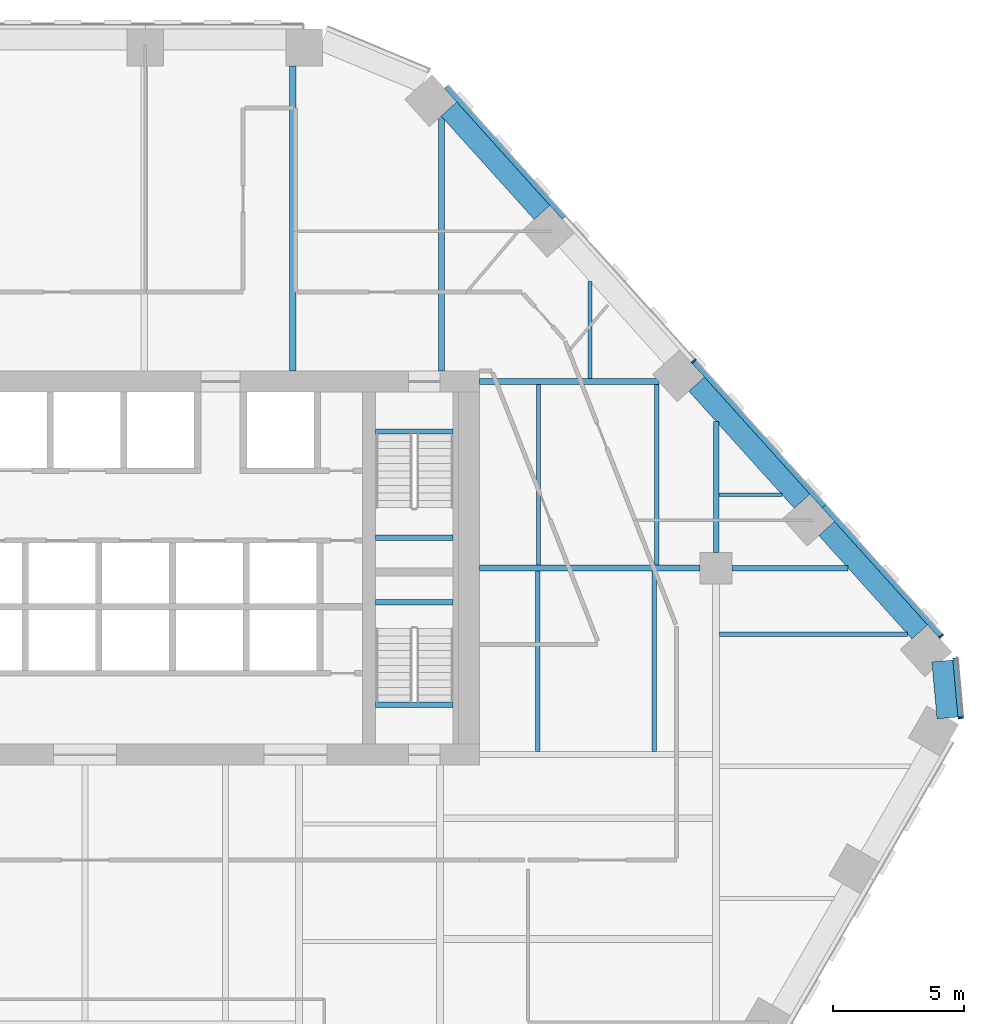
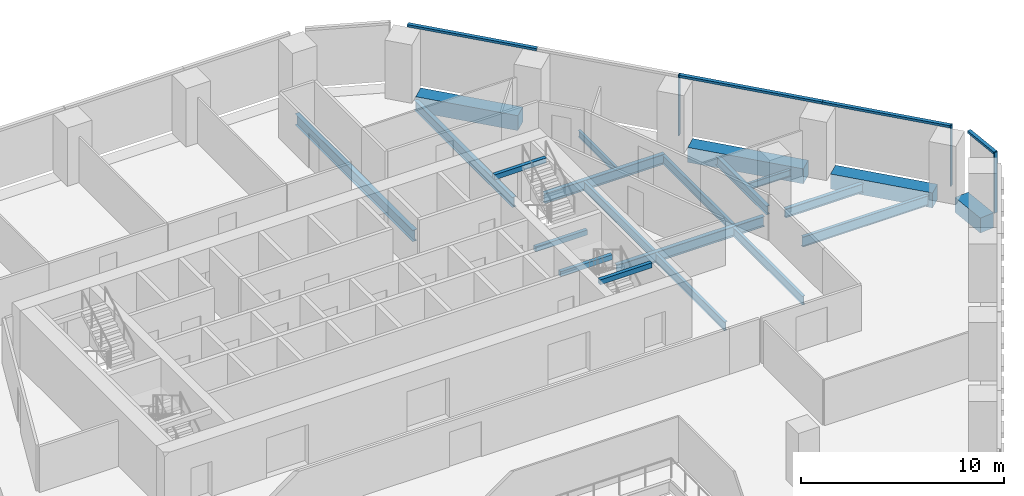
# One storey, part 8 of 17: 21 beams, 7 members, 2 elements without a shape of their own.
"""IFC4 building model written with IfcOpenShell, lengths in metres."""

from ifc_helpers import new_model, si_unit, direction, frame, origin, origin_2d, place, context, subcontext, project, spatial, rectangle, i_section, extrude, material, layer, layer_set, material_profile, profile_set, type_object, element, aggregate, save


model = new_model("IFC4")

# Units and contexts
model_context = context("Model", 3, precision=1e-05, world=origin(), true_north=direction((0.0, 1.0)))
body_context = subcontext(model_context, "Body", "Model", "MODEL_VIEW")
ifc_project = project(units=[si_unit("LENGTHUNIT", "METRE"), si_unit("AREAUNIT", "SQUARE_METRE"), si_unit("VOLUMEUNIT", "CUBIC_METRE"), si_unit("PLANEANGLEUNIT", "RADIAN"), si_unit("MASSUNIT", "GRAM", prefix="KILO")], contexts=[model_context])

# Site, building, storey
site_placement = place(None, origin())
site = spatial("IfcSite", under=ifc_project, at=site_placement, CompositionType="ELEMENT")
building_placement = place(site_placement, origin())
building = spatial("IfcBuilding", under=site, at=building_placement, Name="Isthmus Gate Tower", CompositionType="ELEMENT")
storey_placement = place(building_placement, frame((0.0, 0.0, 126.14990234375)))
storey = spatial("IfcBuildingStorey", under=building, at=storey_placement, Name="L30", CompositionType="ELEMENT", Elevation=126.14990234375)

# Curtain wall, member
ifc_material_1 = material(Name="Aluminium, pale champagne anodised", Category="aluminium")
ifc_layer = layer(ifc_material_1, 0.199951171875)
ifc_layer_set = layer_set([ifc_layer], Name="CW-1 UNITISED CURTAIN WALL 200 DEEP")
curtain_wall_type = type_object("IfcCurtainWallType", Name="CW-1 UNITISED CURTAIN WALL 200 DEEP", PredefinedType="NOTDEFINED", material=ifc_layer_set)
curtain_wall_1_placement = place(storey_placement, origin())
curtain_wall_1 = element("IfcCurtainWall", 1, at=curtain_wall_1_placement, inside=storey, type_object=curtain_wall_type, Name="CW-1 SE-NE L30", PredefinedType="NOTDEFINED")
ifc_material_2 = material(Name="Aluminium, pale champagne anodised", Category="aluminium")
ifc_material_profile_1 = material_profile(ifc_material_2, rectangle(XDim=0.06005859375, YDim=0.199951171875, at=origin_2d()), Name="60x200")
ifc_profile_set_1 = profile_set([ifc_material_profile_1], Name="Aluminium, pale champagne anodised")
member_type_1 = type_object("IfcMemberType", Name="CW-1 MULLION 60 X 200", PredefinedType="MULLION", material=ifc_profile_set_1)
member_1_placement = place(storey_placement, frame((33.307861328125, 1.804443359375, 0.0), z_axis=(0.0, 0.0, 1.0), x_axis=(-0.089396669717, 0.995996102123, 0.0)))
member_1 = element("IfcMember", 2, at=member_1_placement, type_object=member_type_1, Name="CW-1 mullion", PredefinedType="MULLION", context=body_context, shape_type="SweptSolid", body=[
    extrude(rectangle(XDim=0.06005859375, YDim=0.199951171875, at=origin_2d()), origin(), (0.0, 0.0, 1.0), 3.650146484375),
])

# Curtain wall, members
curtain_wall_2_placement = place(storey_placement, origin())
curtain_wall_2 = element("IfcCurtainWall", 3, at=curtain_wall_2_placement, inside=storey, type_object=curtain_wall_type, Name="CW-1 NE L30", PredefinedType="NOTDEFINED")
member_2_placement = place(storey_placement, frame((32.5693359375, 4.908447265625, 0.0), z_axis=(0.0, 0.0, 1.0), x_axis=(-0.669130606359, 0.743144825477, 0.0)))
member_2 = element("IfcMember", 4, at=member_2_placement, type_object=member_type_1, Name="CW-1 mullion", PredefinedType="MULLION", context=body_context, shape_type="SweptSolid", body=[
    extrude(rectangle(XDim=0.06005859375, YDim=0.199951171875, at=origin_2d()), origin(), (0.0, 0.0, 1.0), 3.650146484375),
])
member_3_placement = place(storey_placement, frame((23.14697265625, 15.373046875, 0.0), z_axis=(0.0, 0.0, 1.0), x_axis=(-0.669130606359, 0.743144825477, 0.0)))
member_3 = element("IfcMember", 5, at=member_3_placement, type_object=member_type_1, Name="CW-1 mullion", PredefinedType="MULLION", context=body_context, shape_type="SweptSolid", body=[
    extrude(rectangle(XDim=0.06005859375, YDim=0.199951171875, at=origin_2d()), origin(), (0.0, 0.0, 1.0), 3.650146484375),
])

# Member
ifc_material_3 = material(Name="Aluminium, pale champagne anodised", Category="aluminium")
ifc_material_profile_2 = material_profile(ifc_material_3, rectangle(XDim=0.199951171875, YDim=0.139892578125, at=origin_2d()), Name="200x140")
ifc_profile_set_2 = profile_set([ifc_material_profile_2], Name="Aluminium, pale champagne anodised")
member_type_2 = type_object("IfcMemberType", Name="CW-1 TRANSOM 200 X 140", PredefinedType="USERDEFINED", material=ifc_profile_set_2)
member_4_placement = place(storey_placement, frame((33.30517578125, 1.83447265625, 3.580078125), z_axis=(-0.089395362867, 0.995996219419, 0.0), x_axis=(-0.995996219419, -0.089395362867, 0.0)))
member_4 = element("IfcMember", 6, at=member_4_placement, type_object=member_type_2, Name="CW-1 transom", ObjectType="TRANSOM", PredefinedType="USERDEFINED", context=body_context, shape_type="SweptSolid", body=[
    extrude(rectangle(XDim=0.199951171875, YDim=0.139892578125, at=origin_2d()), origin(), (0.0, 0.0, 1.0), 2.258544921875),
])

aggregate(curtain_wall_1, [member_1, member_4])

member_5_placement = place(storey_placement, frame((32.54931640625, 4.930908203125, 3.580078125), z_axis=(-0.669153891975, 0.743123858354, 0.0), x_axis=(-0.743123858354, -0.669153891975, 0.0)))
member_5 = element("IfcMember", 7, at=member_5_placement, type_object=member_type_2, Name="CW-1 transom", ObjectType="TRANSOM", PredefinedType="USERDEFINED", context=body_context, shape_type="SweptSolid", body=[
    extrude(rectangle(XDim=0.199951171875, YDim=0.139892578125, at=origin_2d()), origin(), (0.0, 0.0, 1.0), 6.630859375),
])

member_6_placement = place(storey_placement, frame((28.1123046875, 9.8583984375, 3.580078125), z_axis=(-0.669123495435, 0.74315122812, 0.0), x_axis=(-0.74315122812, -0.669123495435, 0.0)))
member_6 = element("IfcMember", 8, at=member_6_placement, type_object=member_type_2, Name="CW-1 transom", ObjectType="TRANSOM", PredefinedType="USERDEFINED", context=body_context, shape_type="SweptSolid", body=[
    extrude(rectangle(XDim=0.199951171875, YDim=0.139892578125, at=origin_2d()), origin(), (0.0, 0.0, 1.0), 7.390625),
])

member_7_placement = place(storey_placement, frame((18.221435546875, 20.84326171875, 3.580078125), z_axis=(-0.669117935274, 0.743156234378, 0.0), x_axis=(-0.743156234378, -0.669117935274, 0.0)))
member_7 = element("IfcMember", 9, at=member_7_placement, type_object=member_type_2, Name="CW-1 transom", ObjectType="TRANSOM", PredefinedType="USERDEFINED", context=body_context, shape_type="SweptSolid", body=[
    extrude(rectangle(XDim=0.199951171875, YDim=0.139892578125, at=origin_2d()), origin(), (0.0, 0.0, 1.0), 6.690673828125),
])

aggregate(curtain_wall_2, [member_2, member_5, member_6, member_3, member_7])

# Beams
ifc_material_4 = material(Name="Concrete f'c 60 MPa", Category="concrete")
ifc_material_profile_3 = material_profile(ifc_material_4, rectangle(XDim=0.800048828125, YDim=0.89990234375, at=origin_2d()), Name="RC 800X900")
ifc_profile_set_3 = profile_set([ifc_material_profile_3], Name="Concrete f'c 60 MPa")
beam_type_1 = type_object("IfcBeamType", Name="RC SPANDREL 800 X 900", PredefinedType="SPANDREL", material=ifc_profile_set_3)
beam_1_placement = place(storey_placement, frame((13.84130859375, 24.960693359375, -0.449951171875), z_axis=(0.669153370522, -0.743124327901, 0.0), x_axis=(0.743124327901, 0.669153370522, 0.0)))
element("IfcBeam", 10, at=beam_1_placement, inside=storey, type_object=beam_type_1, Name="str-spandrel-L30-01", PredefinedType="SPANDREL", context=body_context, shape_type="SweptSolid", body=[
    extrude(rectangle(XDim=0.800048828125, YDim=0.89990234375, at=origin_2d()), origin(), (0.0, 0.0, 1.0), 5.290771484375),
])
beam_2_placement = place(storey_placement, frame((23.263671875, 14.49609375, -0.449951171875), z_axis=(0.669156088603, -0.74312188037, 0.0), x_axis=(0.74312188037, 0.669156088603, 0.0)))
element("IfcBeam", 11, at=beam_2_placement, inside=storey, type_object=beam_type_1, Name="str-spandrel-L30-03", PredefinedType="SPANDREL", context=body_context, shape_type="SweptSolid", body=[
    extrude(rectangle(XDim=0.800048828125, YDim=0.89990234375, at=origin_2d()), origin(), (0.0, 0.0, 1.0), 5.99072265625),
])
beam_3_placement = place(storey_placement, frame((28.209228515625, 9.003662109375, -0.449951171875), z_axis=(0.669130424574, -0.743144989157, 0.0), x_axis=(0.743144989157, 0.669130424574, 0.0)))
element("IfcBeam", 12, at=beam_3_placement, inside=storey, type_object=beam_type_1, Name="str-spandrel-L30-04", PredefinedType="SPANDREL", context=body_context, shape_type="SweptSolid", body=[
    extrude(rectangle(XDim=0.800048828125, YDim=0.89990234375, at=origin_2d()), origin(), (0.0, 0.0, 1.0), 5.290771484375),
])
beam_4_placement = place(storey_placement, frame((32.61181640625, 3.964599609375, -0.449951171875), z_axis=(0.089421511639, -0.995993872098, 0.0), x_axis=(0.995993872098, 0.089421511639, 0.0)))
element("IfcBeam", 13, at=beam_4_placement, inside=storey, type_object=beam_type_1, Name="str-spandrel-L30-05", PredefinedType="SPANDREL", context=body_context, shape_type="SweptSolid", body=[
    extrude(rectangle(XDim=0.800048828125, YDim=0.89990234375, at=origin_2d()), origin(), (0.0, 0.0, 1.0), 2.17333984375),
])
ifc_material_5 = material(Name="Concrete f'c 40 MPa", Category="concrete")
ifc_material_profile_4 = material_profile(ifc_material_5, rectangle(XDim=0.199951171875, YDim=0.300048828125, at=origin_2d()), Name="STAIR LANDING BEAM RC 200 X 300")
ifc_profile_set_4 = profile_set([ifc_material_profile_4], Name="Concrete f'c 40 MPa")
beam_type_2 = type_object("IfcBeamType", Name="STAIR LANDING BEAM RC 200 X 300", PredefinedType="BEAM", material=ifc_profile_set_4)
for number, where, z_axis, x_axis, name in (
    (14, (11.050048828125, 8.64990234375, 1.47509765625), (1.0, 0.0, 0.0), (0.0, 1.0, 0.0), "L30 ST2 landing beam 1"),
    (15, (11.050048828125, 12.7001953125, 3.35009765625), (1.0, 0.0, 0.0), (0.0, 1.0, 0.0), "L30 ST2 floor-edge seat beam"),
    (16, (11.050048828125, 6.199951171875, 1.47509765625), (1.0, 0.0, 0.0), (0.0, 1.0, 0.0), "L30 ST8 landing beam 1"),
    (17, (11.050048828125, 2.2998046875, 3.35009765625), (1.0, 0.0, 0.0), (0.0, 1.0, 0.0), "L30 ST8 floor-edge seat beam"),
):
    element("IfcBeam", number, at=place(storey_placement, frame(where, z_axis=z_axis, x_axis=x_axis)), inside=storey, type_object=beam_type_2, Name=name, PredefinedType="BEAM", context=body_context, shape_type="SweptSolid", body=[
        extrude(rectangle(XDim=0.199951171875, YDim=0.300048828125, at=origin_2d()), origin(), (0.0, 0.0, 1.0), 2.949951171875),
    ])
ifc_material_6 = material(Name="Structural steel ASTM A992 Gr 50", Category="steel")
ifc_material_profile_5 = material_profile(ifc_material_6, i_section(OverallWidth=0.1396484375, OverallDepth=0.4033203125, WebThickness=0.00634765625, FlangeThickness=0.010986328125, at=origin_2d()), Name="W16X31")
ifc_profile_set_5 = profile_set([ifc_material_profile_5], Name="Structural steel ASTM A992 Gr 50")
beam_type_3 = type_object("IfcBeamType", Name="STEEL FLOOR BEAM W16X31", PredefinedType="JOIST", material=ifc_profile_set_5)
beam_5_placement = place(storey_placement, frame((19.204345703125, 14.71435546875, -0.3515625), z_axis=(0.0, 1.0, 0.0), x_axis=(-1.0, 0.0, 0.0)))
element("IfcBeam", 18, at=beam_5_placement, inside=storey, type_object=beam_type_3, Name="str-beam-L30-05-07", PredefinedType="JOIST", context=body_context, shape_type="SweptSolid", body=[
    extrude(i_section(OverallWidth=0.1396484375, OverallDepth=0.4033203125, WebThickness=0.00634765625, FlangeThickness=0.010986328125, at=origin_2d()), origin(), (0.0, 0.0, 1.0), 3.6923828125),
])
beam_6_placement = place(storey_placement, frame((24.104736328125, 10.284423828125, -0.3515625), z_axis=(1.0, 0.0, 0.0), x_axis=(0.0, 1.0, 0.0)))
element("IfcBeam", 19, at=beam_6_placement, inside=storey, type_object=beam_type_3, Name="str-beam-L30-15-00", PredefinedType="JOIST", context=body_context, shape_type="SweptSolid", body=[
    extrude(i_section(OverallWidth=0.1396484375, OverallDepth=0.4033203125, WebThickness=0.00634765625, FlangeThickness=0.010986328125, at=origin_2d()), origin(), (0.0, 0.0, 1.0), 2.412841796875),
])
ifc_material_7 = material(Name="Structural steel ASTM A992 Gr 50", Category="steel")
ifc_material_profile_6 = material_profile(ifc_material_7, i_section(OverallWidth=0.1650390625, OverallDepth=0.52392578125, WebThickness=0.009521484375, FlangeThickness=0.010986328125, at=origin_2d()), Name="W21X44")
ifc_profile_set_6 = profile_set([ifc_material_profile_6], Name="Structural steel ASTM A992 Gr 50")
beam_type_4 = type_object("IfcBeamType", Name="STEEL FLOOR BEAM W21X44", PredefinedType="JOIST", material=ifc_profile_set_6)
for number, where, z_axis, x_axis, name in (
    (20, (17.25, 7.6142578125, -0.411865234375), (0.0, 1.0, 0.0), (-1.0, 0.0, 0.0), "str-beam-L30-13-00"),
    (21, (21.75, 7.6142578125, -0.411865234375), (0.0, 1.0, 0.0), (-1.0, 0.0, 0.0), "str-beam-L30-13-01"),
    (22, (17.216552734375, 0.514404296875, -0.411865234375), (0.0, 1.0, 0.0), (-1.0, 0.0, 0.0), "str-beam-L30-14-00"),
    (23, (21.64990234375, 0.514404296875, -0.411865234375), (0.0, 1.0, 0.0), (-1.0, 0.0, 0.0), "str-beam-L30-14-01"),
):
    element("IfcBeam", number, at=place(storey_placement, frame(where, z_axis=z_axis, x_axis=x_axis)), inside=storey, type_object=beam_type_4, Name=name, PredefinedType="JOIST", context=body_context, shape_type="SweptSolid", body=[
        extrude(i_section(OverallWidth=0.1650390625, OverallDepth=0.52392578125, WebThickness=0.009521484375, FlangeThickness=0.010986328125, at=origin_2d()), origin(), (0.0, 0.0, 1.0), 6.871337890625),
    ])
ifc_material_8 = material(Name="Structural steel ASTM A992 Gr 50", Category="steel")
ifc_material_profile_7 = material_profile(ifc_material_8, i_section(OverallWidth=0.177734375, OverallDepth=0.60009765625, WebThickness=0.009521484375, FlangeThickness=0.0126953125, at=origin_2d()), Name="W24X55")
ifc_profile_set_7 = profile_set([ifc_material_profile_7], Name="Structural steel ASTM A992 Gr 50")
beam_type_5 = type_object("IfcBeamType", Name="STEEL FLOOR BEAM W24X55", PredefinedType="JOIST", material=ifc_profile_set_7)
beam_7_placement = place(storey_placement, frame((24.13330078125, 4.987548828125, -0.449951171875), z_axis=(1.0, 0.0, 0.0), x_axis=(0.0, 1.0, 0.0)))
element("IfcBeam", 24, at=beam_7_placement, inside=storey, type_object=beam_type_5, Name="str-beam-L30-16-02", PredefinedType="JOIST", context=body_context, shape_type="SweptSolid", body=[
    extrude(i_section(OverallWidth=0.177734375, OverallDepth=0.60009765625, WebThickness=0.009521484375, FlangeThickness=0.0126953125, at=origin_2d()), origin(), (0.0, 0.0, 1.0), 7.15380859375),
])
ifc_material_9 = material(Name="Structural steel ASTM A992 Gr 50", Category="steel")
ifc_material_profile_8 = material_profile(ifc_material_9, i_section(OverallWidth=0.228515625, OverallDepth=0.603271484375, WebThickness=0.010986328125, FlangeThickness=0.014404296875, at=origin_2d()), Name="W24X68")
ifc_profile_set_8 = profile_set([ifc_material_profile_8], Name="Structural steel ASTM A992 Gr 50")
beam_type_6 = type_object("IfcBeamType", Name="STEEL FLOOR BEAM W24X68", PredefinedType="JOIST", material=ifc_profile_set_8)
beam_8_placement = place(storey_placement, frame((13.5537109375, 15.0, -0.451416015625), z_axis=(0.0, 1.0, 0.0), x_axis=(-1.0, 0.0, 0.0)))
element("IfcBeam", 25, at=beam_8_placement, inside=storey, type_object=beam_type_6, Name="str-beam-L30-05-06", PredefinedType="JOIST", context=body_context, shape_type="SweptSolid", body=[
    extrude(i_section(OverallWidth=0.228515625, OverallDepth=0.603271484375, WebThickness=0.010986328125, FlangeThickness=0.014404296875, at=origin_2d()), origin(), (0.0, 0.0, 1.0), 9.682373046875),
])
ifc_material_10 = material(Name="Structural steel ASTM A992 Gr 50", Category="steel")
ifc_material_profile_9 = material_profile(ifc_material_10, i_section(OverallWidth=0.25390625, OverallDepth=0.679443359375, WebThickness=0.010986328125, FlangeThickness=0.015869140625, at=origin_2d()), Name="W27X84")
ifc_profile_set_9 = profile_set([ifc_material_profile_9], Name="Structural steel ASTM A992 Gr 50")
beam_type_7 = type_object("IfcBeamType", Name="STEEL FLOOR BEAM W27X84", PredefinedType="JOIST", material=ifc_profile_set_9)
beam_9_placement = place(storey_placement, frame((7.903076171875, 15.0, -0.489501953125), z_axis=(0.0, 1.0, 0.0), x_axis=(-1.0, 0.0, 0.0)))
element("IfcBeam", 26, at=beam_9_placement, inside=storey, type_object=beam_type_7, Name="str-beam-L30-05-05", PredefinedType="JOIST", context=body_context, shape_type="SweptSolid", body=[
    extrude(i_section(OverallWidth=0.25390625, OverallDepth=0.679443359375, WebThickness=0.010986328125, FlangeThickness=0.015869140625, at=origin_2d()), origin(), (0.0, 0.0, 1.0), 11.60009765625),
])
ifc_material_11 = material(Name="Structural steel ASTM A992 Gr 50", Category="steel")
ifc_material_profile_10 = material_profile(ifc_material_11, i_section(OverallWidth=0.20947265625, OverallDepth=0.533447265625, WebThickness=0.009521484375, FlangeThickness=0.015869140625, at=origin_2d()), Name="W21X62")
ifc_profile_set_10 = profile_set([ifc_material_profile_10], Name="Structural steel ASTM A992 Gr 50")
beam_type_8 = type_object("IfcBeamType", Name="STEEL GIRDER W21X62", PredefinedType="BEAM", material=ifc_profile_set_10)
beam_10_placement = place(storey_placement, frame((24.60009765625, 7.5, -0.41650390625), z_axis=(1.0, 0.0, 0.0), x_axis=(0.0, 1.0, 0.0)))
element("IfcBeam", 27, at=beam_10_placement, inside=storey, type_object=beam_type_8, Name="str-girder-L30-06", PredefinedType="BEAM", context=body_context, shape_type="SweptSolid", body=[
    extrude(i_section(OverallWidth=0.20947265625, OverallDepth=0.533447265625, WebThickness=0.009521484375, FlangeThickness=0.015869140625, at=origin_2d()), origin(), (0.0, 0.0, 1.0), 4.4248046875),
])
beam_11_placement = place(storey_placement, frame((24.0, 8.10009765625, -0.41650390625), z_axis=(0.0, 1.0, 0.0), x_axis=(-1.0, 0.0, 0.0)))
element("IfcBeam", 28, at=beam_11_placement, inside=storey, type_object=beam_type_8, Name="str-girder-L30-12", PredefinedType="BEAM", context=body_context, shape_type="SweptSolid", body=[
    extrude(i_section(OverallWidth=0.20947265625, OverallDepth=0.533447265625, WebThickness=0.009521484375, FlangeThickness=0.015869140625, at=origin_2d()), origin(), (0.0, 0.0, 1.0), 4.98046875),
])
ifc_material_12 = material(Name="Structural steel ASTM A992 Gr 50", Category="steel")
ifc_material_profile_11 = material_profile(ifc_material_12, i_section(OverallWidth=0.228515625, OverallDepth=0.603271484375, WebThickness=0.010986328125, FlangeThickness=0.014404296875, at=origin_2d()), Name="W24X68")
ifc_profile_set_11 = profile_set([ifc_material_profile_11], Name="Structural steel ASTM A992 Gr 50")
beam_type_9 = type_object("IfcBeamType", Name="STEEL GIRDER W24X68", PredefinedType="BEAM", material=ifc_profile_set_11)
beam_12_placement = place(storey_placement, frame((15.0, 14.60009765625, -0.451416015625), z_axis=(1.0, 0.0, 0.0), x_axis=(0.0, 1.0, 0.0)))
element("IfcBeam", 29, at=beam_12_placement, inside=storey, type_object=beam_type_9, Name="str-girder-L30-16", PredefinedType="BEAM", context=body_context, shape_type="SweptSolid", body=[
    extrude(i_section(OverallWidth=0.228515625, OverallDepth=0.603271484375, WebThickness=0.010986328125, FlangeThickness=0.014404296875, at=origin_2d()), origin(), (0.0, 0.0, 1.0), 6.824462890625),
])
ifc_material_13 = material(Name="Structural steel ASTM A992 Gr 50", Category="steel")
ifc_material_profile_12 = material_profile(ifc_material_13, i_section(OverallWidth=0.228515625, OverallDepth=0.6064453125, WebThickness=0.010986328125, FlangeThickness=0.017578125, at=origin_2d()), Name="W24X76")
ifc_profile_set_12 = profile_set([ifc_material_profile_12], Name="Structural steel ASTM A992 Gr 50")
beam_type_10 = type_object("IfcBeamType", Name="STEEL GIRDER W24X76", PredefinedType="BEAM", material=ifc_profile_set_12)
beam_13_placement = place(storey_placement, frame((15.0, 7.5, -0.453125), z_axis=(1.0, 0.0, 0.0), x_axis=(0.0, 1.0, 0.0)))
element("IfcBeam", 30, at=beam_13_placement, inside=storey, type_object=beam_type_10, Name="str-girder-L30-05", PredefinedType="BEAM", context=body_context, shape_type="SweptSolid", body=[
    extrude(i_section(OverallWidth=0.228515625, OverallDepth=0.6064453125, WebThickness=0.010986328125, FlangeThickness=0.017578125, at=origin_2d()), origin(), (0.0, 0.0, 1.0), 8.39990234375),
])

save(model, "model.ifc")
